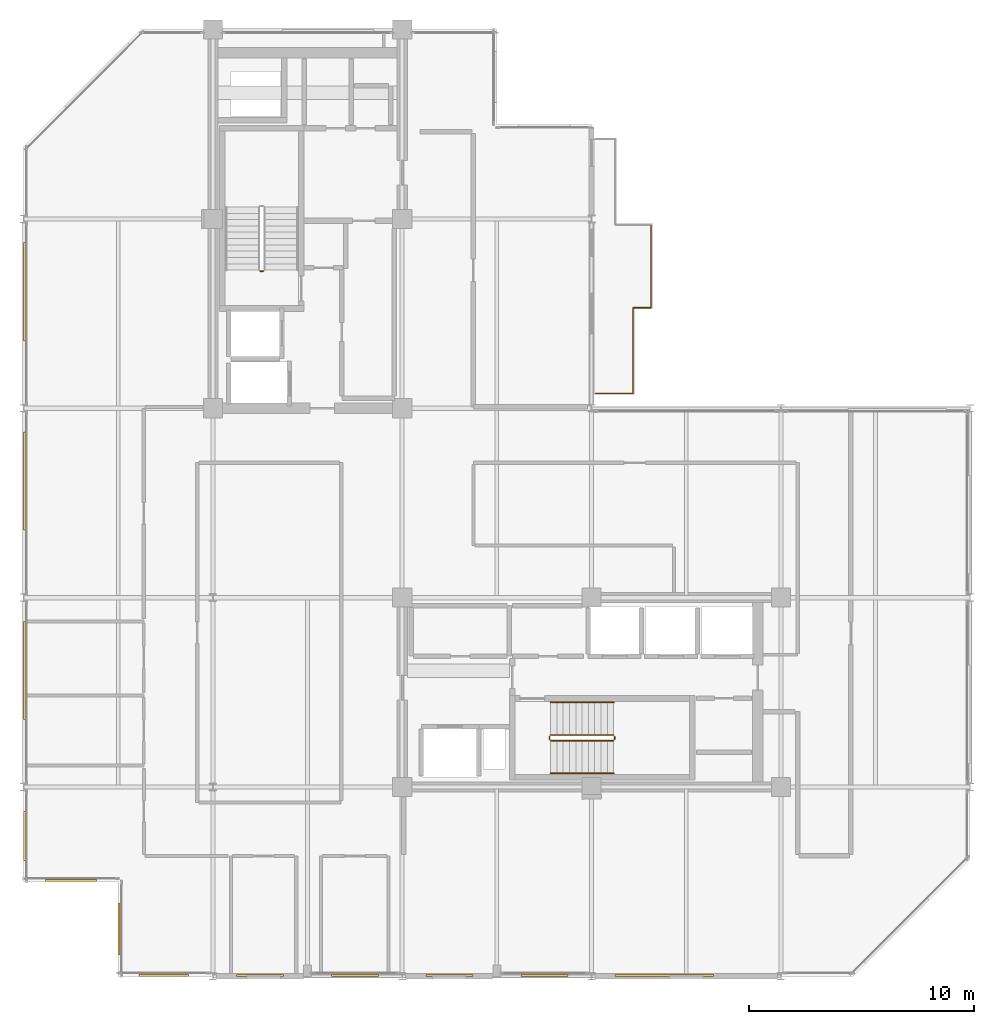
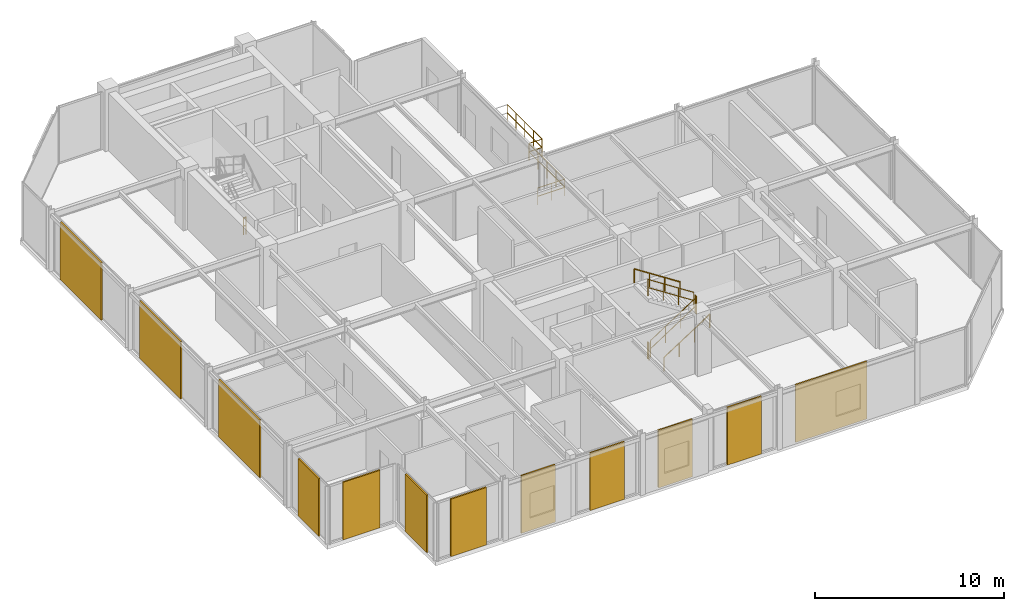
# One storey, part 24 of 26: 12 coverings, 11 railings.
"""IFC4 building model written with IfcOpenShell, lengths in metres."""

import ifcopenshell
import ifcopenshell.guid

model = None  # the IFC model being written
_history = None  # IfcOwnerHistory: only IFC2X3 demands one
_inside = {}  # id of a spatial element -> (the spatial element, [elements in it])
_under = {}  # id of a project, library or spatial element -> (it, [spatial elements below it])
_declared = {}  # id of a project -> (the project, [libraries it declares])
_typed = {}  # id of a type object -> (the type object, [elements of that type])
_made_of = {}  # id of a material, layer set ... -> (it, [elements and type objects made of it])


def new_model(schema):
    """Start an empty IFC model of exactly this schema.

    Asked for "IFC4X3", IfcOpenShell would pick the latest addendum, in which some entities
    have other attributes; the version numbers below select the first issue.
    IFC2X3 requires an IfcOwnerHistory on every rooted entity: one is made here for all.
    """
    global model, _history
    if schema == "IFC4X3":
        model = ifcopenshell.file(schema_version=(4, 3, 0, 0))
    else:
        model = ifcopenshell.file(schema=schema)
    _inside.clear()
    _under.clear()
    _declared.clear()
    _typed.clear()
    _made_of.clear()
    _history = None
    if model.schema == "IFC2X3":
        org = make("IfcOrganization", Name="unknown")
        user = make(
            "IfcPersonAndOrganization",
            ThePerson=make("IfcPerson", FamilyName="unknown"),
            TheOrganization=org,
        )
        app = make(
            "IfcApplication",
            ApplicationDeveloper=org,
            Version="unknown",
            ApplicationFullName="unknown",
            ApplicationIdentifier="unknown",
        )
        _history = make(
            "IfcOwnerHistory",
            OwningUser=user,
            OwningApplication=app,
            ChangeAction="ADDED",
            CreationDate=0,
        )
    return model


def make(cls, **values):
    """One entity of the class cls with the attributes given. An attribute that is None is left unset."""
    return model.create_entity(
        cls, **{name: value for name, value in values.items() if value is not None}
    )


def rooted(cls, **values):
    """An entity with a GlobalId (a new one), such as an element, a storey or a relation."""
    return make(cls, GlobalId=ifcopenshell.guid.new(), OwnerHistory=_history, **values)


def si_unit(unit_type, name, prefix=None):
    """IfcSIUnit, for example si_unit("LENGTHUNIT", "METRE", prefix="MILLI")."""
    return make("IfcSIUnit", UnitType=unit_type, Prefix=prefix, Name=name)


def assignment(units):
    """IfcUnitAssignment: the units of a project."""
    return None if units is None else make("IfcUnitAssignment", Units=units)


def point(xyz):
    """IfcCartesianPoint."""
    return None if xyz is None else make("IfcCartesianPoint", Coordinates=xyz)


def direction(xyz):
    """IfcDirection."""
    return None if xyz is None else make("IfcDirection", DirectionRatios=xyz)


def frame(location, z_axis=None, x_axis=None):
    """IfcAxis2Placement3D, a coordinate frame: its origin and axes. An axis left out is left unset."""
    return make(
        "IfcAxis2Placement3D",
        Location=point(location),
        Axis=direction(z_axis),
        RefDirection=direction(x_axis),
    )


def frame_2d(location, x_axis=None):
    """IfcAxis2Placement2D, a coordinate frame in the plane: its origin and x axis."""
    return make(
        "IfcAxis2Placement2D", Location=point(location), RefDirection=direction(x_axis)
    )


def origin():
    """The frame at (0, 0, 0) with its axes left unset."""
    return frame((0.0, 0.0, 0.0))


def origin_2d():
    """The frame at (0, 0) in the plane with its x axis left unset."""
    return frame_2d((0.0, 0.0))


def place(relative_to, where):
    """IfcLocalPlacement: puts the frame where relative to a parent placement (None: the world)."""
    return make(
        "IfcLocalPlacement", PlacementRelTo=relative_to, RelativePlacement=where
    )


def context(
    kind, dimensions, precision=None, world=None, true_north=None, identifier=None
):
    """IfcGeometricRepresentationContext, for example the 3D "Model" context."""
    return make(
        "IfcGeometricRepresentationContext",
        ContextIdentifier=identifier,
        ContextType=kind,
        CoordinateSpaceDimension=dimensions,
        Precision=precision,
        WorldCoordinateSystem=world,
        TrueNorth=true_north,
    )


def subcontext(parent, identifier, kind, view, scale=None):
    """IfcGeometricRepresentationSubContext, for example "Body" below "Model"."""
    return make(
        "IfcGeometricRepresentationSubContext",
        ContextIdentifier=identifier,
        ContextType=kind,
        ParentContext=parent,
        TargetScale=scale,
        TargetView=view,
    )


def project(units=None, contexts=None):
    """IfcProject with its units and contexts."""
    return rooted(
        "IfcProject",
        Name="project",
        RepresentationContexts=contexts,
        UnitsInContext=assignment(units),
    )


def spatial(cls, under=None, at=None, **own):
    """A site, building, storey or space (cls), placed at a placement, below another one or the project."""
    s = rooted(cls, ObjectPlacement=at, **own)
    if under is not None:
        _under.setdefault(under.id(), (under, []))[1].append(s)
    return s


def profile(cls, at=None, kind="AREA", **sizes):
    """A parametric profile (cls). Its sizes go by their IFC names, for example OverallWidth=200.0."""
    return make(cls, ProfileType=kind, Position=at, **sizes)


def rectangle(**sizes):
    """IfcRectangleProfileDef."""
    return profile("IfcRectangleProfileDef", **sizes)


def circle(**sizes):
    """IfcCircleProfileDef."""
    return profile("IfcCircleProfileDef", **sizes)


def extrude(swept, where, along, depth):
    """IfcExtrudedAreaSolid: the profile swept, set in the frame where, extruded along a direction by depth."""
    return make(
        "IfcExtrudedAreaSolid",
        SweptArea=swept,
        Position=where,
        ExtrudedDirection=direction(along),
        Depth=depth,
    )


def shape(context_of_items, identifier, shape_type, items):
    """IfcShapeRepresentation: the items that make up one representation, for example the "Body"."""
    return make(
        "IfcShapeRepresentation",
        ContextOfItems=context_of_items,
        RepresentationIdentifier=identifier,
        RepresentationType=shape_type,
        Items=items,
    )


def material(Name=None, Category=None):
    """IfcMaterial."""
    return make("IfcMaterial", Name=Name, Category=Category)


def layer(
    of_material, thickness, ventilated=None, Name=None, Category=None, Priority=None
):
    """IfcMaterialLayer: one layer of a wall or slab, of a material (None: an air gap)."""
    return make(
        "IfcMaterialLayer",
        Material=of_material,
        LayerThickness=thickness,
        IsVentilated=ventilated,
        Name=Name,
        Category=Category,
        Priority=Priority,
    )


def layer_set(layers, Name=None):
    """IfcMaterialLayerSet."""
    return make("IfcMaterialLayerSet", MaterialLayers=layers, LayerSetName=Name)


def made_of(thing, what):
    """Note that an element or type object is made of a material, layer set ...; save() writes the relation."""
    if what is not None:
        _made_of.setdefault(what.id(), (what, []))[1].append(thing)
    return thing


def type_object(cls, material=None, **own):
    """A type object (cls), such as IfcWallType, which elements share."""
    return made_of(rooted(cls, **own), material)


def element(
    cls,
    number,
    at=None,
    inside=None,
    cuts=None,
    type_object=None,
    material=None,
    context=None,
    identifier="Body",
    shape_type=None,
    held_by="IfcProductDefinitionShape",
    body=None,
    shapes=None,
    **own,
):
    """One element of the class cls, such as IfcWall. Its Tag is "e" and its number.

    at: its placement. inside: the storey or other place that contains it. cuts: it is an
    opening in that element (IfcRelVoidsElement). A single representation is given by context,
    identifier, shape_type and body (its items); several are given by shapes. held_by: the class
    of the entity that holds the representations. save() writes the other relations.
    """
    e = rooted(cls, Tag="e%d" % number, ObjectPlacement=at, **own)
    if body is not None:
        shapes = [shape(context, identifier, shape_type, body)]
    if shapes is not None:
        e.Representation = make(held_by, Representations=shapes)
    if inside is not None:
        _inside.setdefault(inside.id(), (inside, []))[1].append(e)
    if cuts is not None:
        rooted(
            "IfcRelVoidsElement", RelatingBuildingElement=cuts, RelatedOpeningElement=e
        )
    if type_object is not None:
        _typed.setdefault(type_object.id(), (type_object, []))[1].append(e)
    return made_of(e, material)


def aggregate(whole, parts):
    """IfcRelAggregates: a whole, such as a stair, and the parts it consists of."""
    return rooted("IfcRelAggregates", RelatingObject=whole, RelatedObjects=parts)


def save(model, path):
    """Write the relations noted so far, then the file.

    IfcRelAggregates (storeys below a building ...), IfcRelContainedInSpatialStructure (elements
    in a storey), IfcRelDefinesByType, IfcRelAssociatesMaterial and IfcRelDeclares: one each for
    every whole, place, type object, material and project.
    """
    for whole, parts in _under.values():
        aggregate(whole, parts)
    for where, things in _inside.values():
        rooted(
            "IfcRelContainedInSpatialStructure",
            RelatedElements=things,
            RelatingStructure=where,
        )
    for kind, things in _typed.values():
        rooted("IfcRelDefinesByType", RelatedObjects=things, RelatingType=kind)
    for what, things in _made_of.values():
        rooted("IfcRelAssociatesMaterial", RelatedObjects=things, RelatingMaterial=what)
    for by, libraries in _declared.values():
        rooted("IfcRelDeclares", RelatingContext=by, RelatedDefinitions=libraries)
    model.write(path)


model = new_model("IFC4")

# Units and contexts
model_context = context("Model", 3, precision=1e-05, world=origin(), true_north=direction((0.0, 1.0)))
body_context = subcontext(model_context, "Body", "Model", "MODEL_VIEW")
ifc_project = project(units=[si_unit("LENGTHUNIT", "METRE"), si_unit("AREAUNIT", "SQUARE_METRE"), si_unit("VOLUMEUNIT", "CUBIC_METRE"), si_unit("PLANEANGLEUNIT", "RADIAN"), si_unit("MASSUNIT", "GRAM", prefix="KILO")], contexts=[model_context])

# Site, building, storey
site_placement = place(None, origin())
site = spatial("IfcSite", under=ifc_project, at=site_placement, CompositionType="ELEMENT")
building_placement = place(site_placement, origin())
building = spatial("IfcBuilding", under=site, at=building_placement, Name="Nerrivon Quay Data Exchange", CompositionType="ELEMENT")
storey_placement = place(building_placement, frame((0.0, 0.0, 274.199951171875)))
storey = spatial("IfcBuildingStorey", under=building, at=storey_placement, Name="L65", CompositionType="ELEMENT", Elevation=274.199951171875)

# Coverings
ifc_material_1 = material(Name="Architectural terracotta ceramic", Category="masonry")
ifc_layer = layer(ifc_material_1, 0.090087890625)
ifc_layer_set = layer_set([ifc_layer], Name="Architectural terracotta ceramic")
covering_type = type_object("IfcCoveringType", Name="COV-SCR-TERR", PredefinedType="CLADDING", material=ifc_layer_set)
covering_1_placement = place(storey_placement, frame((28.42919921875, 0.044921875, 0.0), z_axis=(0.0, 0.0, 1.0), x_axis=(-1.0, 0.0, 0.0)))
element("IfcCovering", 1, at=covering_1_placement, inside=storey, type_object=covering_type, Name="L65 Perforated Terracotta SOLAR SCREEN Cassette", PredefinedType="CLADDING", context=body_context, shape_type="SweptSolid", body=[
    extrude(rectangle(XDim=4.367919921875, YDim=0.090087890625, at=origin_2d()), origin(), (0.0, 0.0, 1.0), 3.72509765625),
])
for number, where, z_axis, x_axis, name in (
    (2, (23.109619140625, 0.044921875, 0.0), (0.0, 0.0, 1.0), (-1.0, 0.0, 0.0), "L65 Perforated Terracotta SOLAR SCREEN Cassette"),
    (3, (18.890380859375, 0.044921875, 0.0), (0.0, 0.0, 1.0), (-1.0, 0.0, 0.0), "L65 Perforated Terracotta SOLAR SCREEN Cassette"),
    (4, (14.709716796875, 0.044921875, 0.0), (0.0, 0.0, 1.0), (-1.0, 0.0, 0.0), "L65 Perforated Terracotta SOLAR SCREEN Cassette"),
    (5, (10.490234375, 0.044921875, 0.0), (0.0, 0.0, 1.0), (-1.0, 0.0, 0.0), "L65 Perforated Terracotta SOLAR SCREEN Cassette"),
):
    element("IfcCovering", number, at=place(storey_placement, frame(where, z_axis=z_axis, x_axis=x_axis)), inside=storey, type_object=covering_type, Name=name, PredefinedType="CLADDING", context=body_context, shape_type="SweptSolid", body=[
        extrude(rectangle(XDim=2.090087890625, YDim=0.090087890625, at=origin_2d()), origin(), (0.0, 0.0, 1.0), 3.72509765625),
    ])
covering_2_placement = place(storey_placement, frame((6.222412109375, 0.044921875, 0.0), z_axis=(0.0, 0.0, 1.0), x_axis=(-1.0, 0.0, 0.0)))
element("IfcCovering", 6, at=covering_2_placement, inside=storey, type_object=covering_type, Name="L65 Perforated Terracotta SOLAR SCREEN Cassette", PredefinedType="CLADDING", context=body_context, shape_type="SweptSolid", body=[
    extrude(rectangle(XDim=2.18408203125, YDim=0.090087890625, at=origin_2d()), origin(), (0.0, 0.0, 1.0), 3.72509765625),
])
for number, where, z_axis, x_axis, name in (
    (7, (4.2451171875, 2.10009765625, 0.0), (0.0, 0.0, 1.0), (0.0, 1.0, 0.0), "L65 Perforated Terracotta SOLAR SCREEN Cassette"),
    (8, (2.10009765625, 4.2451171875, 0.0), (0.0, 0.0, 1.0), (-1.0, 0.0, 0.0), "L65 Perforated Terracotta SOLAR SCREEN Cassette"),
):
    element("IfcCovering", number, at=place(storey_placement, frame(where, z_axis=z_axis, x_axis=x_axis)), inside=storey, type_object=covering_type, Name=name, PredefinedType="CLADDING", context=body_context, shape_type="SweptSolid", body=[
        extrude(rectangle(XDim=2.26806640625, YDim=0.090087890625, at=origin_2d()), origin(), (0.0, 0.0, 1.0), 3.72509765625),
    ])
covering_3_placement = place(storey_placement, frame((0.044921875, 6.21826171875, 0.0), z_axis=(0.0, 0.0, 1.0), x_axis=(0.0, 1.0, 0.0)))
element("IfcCovering", 9, at=covering_3_placement, inside=storey, type_object=covering_type, Name="L65 Perforated Terracotta SOLAR SCREEN Cassette", PredefinedType="CLADDING", context=body_context, shape_type="SweptSolid", body=[
    extrude(rectangle(XDim=2.179931640625, YDim=0.090087890625, at=origin_2d()), origin(), (0.0, 0.0, 1.0), 3.72509765625),
])
for number, where, z_axis, x_axis, name in (
    (10, (0.044921875, 13.56884765625, 0.0), (0.0, 0.0, 1.0), (0.0, 1.0, 0.0), "L65 Perforated Terracotta SOLAR SCREEN Cassette"),
    (11, (0.044921875, 21.96875, 0.0), (0.0, 0.0, 1.0), (0.0, 1.0, 0.0), "L65 Perforated Terracotta SOLAR SCREEN Cassette"),
    (12, (0.044921875, 30.368896484375, 0.0), (0.0, 0.0, 1.0), (0.0, 1.0, 0.0), "L65 Perforated Terracotta SOLAR SCREEN Cassette"),
):
    element("IfcCovering", number, at=place(storey_placement, frame(where, z_axis=z_axis, x_axis=x_axis)), inside=storey, type_object=covering_type, Name=name, PredefinedType="CLADDING", context=body_context, shape_type="SweptSolid", body=[
        extrude(rectangle(XDim=4.35888671875, YDim=0.090087890625, at=origin_2d()), origin(), (0.0, 0.0, 1.0), 3.72509765625),
    ])

# Railings
ifc_material_2 = material(Name="Steel Grade C350L0 (350 MPa)", Category="steel")
railing_type_1 = type_object("IfcRailingType", Name="RAIL-GUARD-GR2", PredefinedType="BALUSTRADE", material=ifc_material_2)
railing_1_placement = place(storey_placement, frame((27.0400390625, 29.659912109375, 0.0)))
element("IfcRailing", 13, at=railing_1_placement, inside=storey, type_object=railing_type_1, Name="L65 Verandah Balcony Guard 1.1 1", PredefinedType="BALUSTRADE", context=body_context, shape_type="SweptSolid", body=[
    extrude(circle(Radius=0.02392578125, at=origin_2d()), frame((0.0, 0.0, 1.09619140625), z_axis=(0.0, -1.0, 0.0), x_axis=(1.0, 0.0, 0.0)), (0.0, 0.0, 1.0), 3.7998046875),
    extrude(circle(Radius=0.02392578125, at=origin_2d()), frame((0.0, 0.0, 0.56005859375), z_axis=(0.0, -1.0, 0.0), x_axis=(1.0, 0.0, 0.0)), (0.0, 0.0, 1.0), 3.7998046875),
    extrude(circle(Radius=0.02099609375, at=origin_2d()), origin(), (0.0, 0.0, 1.0), 1.072021484375),
    extrude(circle(Radius=0.02099609375, at=origin_2d()), frame((0.0, -0.949951171875, 0.0)), (0.0, 0.0, 1.0), 1.072021484375),
    extrude(circle(Radius=0.02099609375, at=origin_2d()), frame((0.0, -1.89990234375, 0.0)), (0.0, 0.0, 1.0), 1.072021484375),
    extrude(circle(Radius=0.02099609375, at=origin_2d()), frame((0.0, -2.849853515625, 0.0)), (0.0, 0.0, 1.0), 1.072021484375),
    extrude(circle(Radius=0.02099609375, at=origin_2d()), frame((0.0, -3.7998046875, 0.0)), (0.0, 0.0, 1.0), 1.072021484375),
])
railing_2_placement = place(storey_placement, frame((27.0400390625, 25.860107421875, 0.0)))
element("IfcRailing", 14, at=railing_2_placement, inside=storey, type_object=railing_type_1, Name="L65 Verandah Balcony Guard 1.2 1", PredefinedType="BALUSTRADE", context=body_context, shape_type="SweptSolid", body=[
    extrude(circle(Radius=0.02392578125, at=origin_2d()), frame((0.0, 0.0, 1.09619140625), z_axis=(-1.0, 0.0, 0.0), x_axis=(0.0, -1.0, 0.0)), (0.0, 0.0, 1.0), 1.66015625),
    extrude(circle(Radius=0.02392578125, at=origin_2d()), frame((0.0, 0.0, 0.56005859375), z_axis=(-1.0, 0.0, 0.0), x_axis=(0.0, -1.0, 0.0)), (0.0, 0.0, 1.0), 1.66015625),
    extrude(circle(Radius=0.02099609375, at=origin_2d()), origin(), (0.0, 0.0, 1.0), 1.072021484375),
    extrude(circle(Radius=0.02099609375, at=origin_2d()), frame((-0.830078125, 0.0, 0.0)), (0.0, 0.0, 1.0), 1.072021484375),
    extrude(circle(Radius=0.02099609375, at=origin_2d()), frame((-1.66015625, 0.0, 0.0)), (0.0, 0.0, 1.0), 1.072021484375),
])
railing_3_placement = place(storey_placement, frame((27.840087890625, 33.340087890625, 0.0)))
element("IfcRailing", 15, at=railing_3_placement, inside=storey, type_object=railing_type_1, Name="L65 Verandah Balcony Guard 1.6 1", PredefinedType="BALUSTRADE", context=body_context, shape_type="SweptSolid", body=[
    extrude(circle(Radius=0.02392578125, at=origin_2d()), frame((0.0, 0.0, 1.09619140625), z_axis=(0.0, -1.0, 0.0), x_axis=(1.0, 0.0, 0.0)), (0.0, 0.0, 1.0), 3.68017578125),
    extrude(circle(Radius=0.02392578125, at=origin_2d()), frame((0.0, 0.0, 0.56005859375), z_axis=(0.0, -1.0, 0.0), x_axis=(1.0, 0.0, 0.0)), (0.0, 0.0, 1.0), 3.68017578125),
    extrude(circle(Radius=0.02099609375, at=origin_2d()), origin(), (0.0, 0.0, 1.0), 1.072021484375),
    extrude(circle(Radius=0.02099609375, at=origin_2d()), frame((0.0, -0.919921875, 0.0)), (0.0, 0.0, 1.0), 1.072021484375),
    extrude(circle(Radius=0.02099609375, at=origin_2d()), frame((0.0, -1.840087890625, 0.0)), (0.0, 0.0, 1.0), 1.072021484375),
    extrude(circle(Radius=0.02099609375, at=origin_2d()), frame((0.0, -2.76025390625, 0.0)), (0.0, 0.0, 1.0), 1.072021484375),
    extrude(circle(Radius=0.02099609375, at=origin_2d()), frame((0.0, -3.68017578125, 0.0)), (0.0, 0.0, 1.0), 1.072021484375),
])
railing_4_placement = place(storey_placement, frame((27.840087890625, 29.659912109375, 0.0)))
element("IfcRailing", 16, at=railing_4_placement, inside=storey, type_object=railing_type_1, Name="L65 Verandah Balcony Guard 1.7 1", PredefinedType="BALUSTRADE", context=body_context, shape_type="SweptSolid", body=[
    extrude(circle(Radius=0.02392578125, at=origin_2d()), frame((0.0, 0.0, 1.09619140625), z_axis=(-1.0, 0.0, 0.0), x_axis=(0.0, -1.0, 0.0)), (0.0, 0.0, 1.0), 0.800048828125),
    extrude(circle(Radius=0.02392578125, at=origin_2d()), frame((0.0, 0.0, 0.56005859375), z_axis=(-1.0, 0.0, 0.0), x_axis=(0.0, -1.0, 0.0)), (0.0, 0.0, 1.0), 0.800048828125),
    extrude(circle(Radius=0.02099609375, at=origin_2d()), origin(), (0.0, 0.0, 1.0), 1.072021484375),
    extrude(circle(Radius=0.02099609375, at=origin_2d()), frame((-0.800048828125, 0.0, 0.0)), (0.0, 0.0, 1.0), 1.072021484375),
])
railing_type_2 = type_object("IfcRailingType", Name="RAIL-HAND-HR1", PredefinedType="HANDRAIL", material=ifc_material_2)
railing_5_placement = place(storey_placement, frame((23.3798828125, 9.0, 0.181884765625)))
element("IfcRailing", 17, at=railing_5_placement, inside=storey, type_object=railing_type_2, Name="L65 ST02 stair handrail 1", PredefinedType="HANDRAIL", context=body_context, shape_type="SweptSolid", body=[
    extrude(circle(Radius=0.02392578125, at=origin_2d()), frame((0.0, 0.0, 0.8759765625), z_axis=(0.838705829183, 0.0, 0.544584733623), x_axis=(0.0, 1.0, 0.0)), (0.0, 0.0, 1.0), 3.338623046875),
    extrude(circle(Radius=0.02099609375, at=origin_2d()), origin(), (0.0, 0.0, 1.0), 0.851806640625),
    extrude(circle(Radius=0.02099609375, at=origin_2d()), frame((0.933349609375, 0.0, 0.60595703125)), (0.0, 0.0, 1.0), 0.851806640625),
    extrude(circle(Radius=0.02099609375, at=origin_2d()), frame((1.86669921875, 0.0, 1.212158203125)), (0.0, 0.0, 1.0), 0.851806640625),
    extrude(circle(Radius=0.02099609375, at=origin_2d()), frame((2.800048828125, 0.0, 1.818115234375)), (0.0, 0.0, 1.0), 0.851806640625),
])
railing_6_placement = place(storey_placement, frame((26.179931640625, 12.14990234375, 2.181884765625)))
element("IfcRailing", 18, at=railing_6_placement, inside=storey, type_object=railing_type_2, Name="L65 ST02 stair handrail 2", PredefinedType="HANDRAIL", context=body_context, shape_type="SweptSolid", body=[
    extrude(circle(Radius=0.02392578125, at=origin_2d()), frame((0.0, 0.0, 0.8759765625), z_axis=(-0.838705829183, 0.0, 0.544584733623), x_axis=(0.0, -1.0, 0.0)), (0.0, 0.0, 1.0), 3.338623046875),
    extrude(circle(Radius=0.02099609375, at=origin_2d()), origin(), (0.0, 0.0, 1.0), 0.851806640625),
    extrude(circle(Radius=0.02099609375, at=origin_2d()), frame((-0.933349609375, 0.0, 0.60595703125)), (0.0, 0.0, 1.0), 0.851806640625),
    extrude(circle(Radius=0.02099609375, at=origin_2d()), frame((-1.86669921875, 0.0, 1.212158203125)), (0.0, 0.0, 1.0), 0.851806640625),
    extrude(circle(Radius=0.02099609375, at=origin_2d()), frame((-2.800048828125, 0.0, 1.818115234375)), (0.0, 0.0, 1.0), 0.851806640625),
])
railing_type_3 = type_object("IfcRailingType", Name="RAIL-STAIR-GR1", PredefinedType="BALUSTRADE", material=ifc_material_2)
railing_7_placement = place(storey_placement, frame((10.64990234375, 31.280029296875, 0.0)))
element("IfcRailing", 19, at=railing_7_placement, inside=storey, type_object=railing_type_3, Name="L65 ST01 stair guard 4", PredefinedType="BALUSTRADE", context=body_context, shape_type="SweptSolid", body=[
    extrude(circle(Radius=0.02392578125, at=origin_2d()), frame((0.0, 0.0, 1.076171875), z_axis=(-1.0, 0.0, 0.0), x_axis=(0.0, -1.0, 0.0)), (0.0, 0.0, 1.0), 0.14990234375),
    extrude(circle(Radius=0.02392578125, at=origin_2d()), frame((0.0, 0.0, 0.550048828125), z_axis=(-1.0, 0.0, 0.0), x_axis=(0.0, -1.0, 0.0)), (0.0, 0.0, 1.0), 0.14990234375),
    extrude(circle(Radius=0.02099609375, at=origin_2d()), origin(), (0.0, 0.0, 1.0), 1.052001953125),
    extrude(circle(Radius=0.02099609375, at=origin_2d()), frame((-0.14990234375, 0.0, 0.0)), (0.0, 0.0, 1.0), 1.052001953125),
])
railing_8_placement = place(storey_placement, frame((23.3798828125, 10.449951171875, 0.181884765625)))
element("IfcRailing", 20, at=railing_8_placement, inside=storey, type_object=railing_type_3, Name="L65 ST02 stair guard 1", PredefinedType="BALUSTRADE", context=body_context, shape_type="SweptSolid", body=[
    extrude(circle(Radius=0.02392578125, at=origin_2d()), frame((0.0, 0.0, 1.076171875), z_axis=(0.838705829183, 0.0, 0.544584733623), x_axis=(0.0, 1.0, 0.0)), (0.0, 0.0, 1.0), 3.338623046875),
    extrude(circle(Radius=0.02392578125, at=origin_2d()), frame((0.0, 0.0, 0.550048828125), z_axis=(0.838705829183, 0.0, 0.544584733623), x_axis=(0.0, 1.0, 0.0)), (0.0, 0.0, 1.0), 3.338623046875),
    extrude(circle(Radius=0.02099609375, at=origin_2d()), origin(), (0.0, 0.0, 1.0), 1.052001953125),
    extrude(circle(Radius=0.02099609375, at=origin_2d()), frame((0.933349609375, 0.0, 0.60595703125)), (0.0, 0.0, 1.0), 1.052001953125),
    extrude(circle(Radius=0.02099609375, at=origin_2d()), frame((1.86669921875, 0.0, 1.212158203125)), (0.0, 0.0, 1.0), 1.052001953125),
    extrude(circle(Radius=0.02099609375, at=origin_2d()), frame((2.800048828125, 0.0, 1.818115234375)), (0.0, 0.0, 1.0), 1.052001953125),
])
railing_9_placement = place(storey_placement, frame((26.22998046875, 10.5, 2.0)))
element("IfcRailing", 21, at=railing_9_placement, inside=storey, type_object=railing_type_3, Name="L65 ST02 stair guard 2", PredefinedType="BALUSTRADE", context=body_context, shape_type="SweptSolid", body=[
    extrude(circle(Radius=0.02392578125, at=origin_2d()), frame((0.0, 0.0, 1.076171875), z_axis=(0.0, 1.0, 0.0), x_axis=(-1.0, 0.0, 0.0)), (0.0, 0.0, 1.0), 0.14990234375),
    extrude(circle(Radius=0.02392578125, at=origin_2d()), frame((0.0, 0.0, 0.550048828125), z_axis=(0.0, 1.0, 0.0), x_axis=(-1.0, 0.0, 0.0)), (0.0, 0.0, 1.0), 0.14990234375),
    extrude(circle(Radius=0.02099609375, at=origin_2d()), origin(), (0.0, 0.0, 1.0), 1.052001953125),
    extrude(circle(Radius=0.02099609375, at=origin_2d()), frame((0.0, 0.14990234375, 0.0)), (0.0, 0.0, 1.0), 1.052001953125),
])
railing_10_placement = place(storey_placement, frame((26.179931640625, 10.699951171875, 2.181884765625)))
element("IfcRailing", 22, at=railing_10_placement, inside=storey, type_object=railing_type_3, Name="L65 ST02 stair guard 3", PredefinedType="BALUSTRADE", context=body_context, shape_type="SweptSolid", body=[
    extrude(circle(Radius=0.02392578125, at=origin_2d()), frame((0.0, 0.0, 1.076171875), z_axis=(-0.838705829183, 0.0, 0.544584733623), x_axis=(0.0, -1.0, 0.0)), (0.0, 0.0, 1.0), 3.338623046875),
    extrude(circle(Radius=0.02392578125, at=origin_2d()), frame((0.0, 0.0, 0.550048828125), z_axis=(-0.838705829183, 0.0, 0.544584733623), x_axis=(0.0, -1.0, 0.0)), (0.0, 0.0, 1.0), 3.338623046875),
    extrude(circle(Radius=0.02099609375, at=origin_2d()), origin(), (0.0, 0.0, 1.0), 1.052001953125),
    extrude(circle(Radius=0.02099609375, at=origin_2d()), frame((-0.933349609375, 0.0, 0.60595703125)), (0.0, 0.0, 1.0), 1.052001953125),
    extrude(circle(Radius=0.02099609375, at=origin_2d()), frame((-1.86669921875, 0.0, 1.212158203125)), (0.0, 0.0, 1.0), 1.052001953125),
    extrude(circle(Radius=0.02099609375, at=origin_2d()), frame((-2.800048828125, 0.0, 1.818115234375)), (0.0, 0.0, 1.0), 1.052001953125),
])
railing_11_placement = place(storey_placement, frame((23.330078125, 10.5, 0.0)))
element("IfcRailing", 23, at=railing_11_placement, inside=storey, type_object=railing_type_3, Name="L65 ST02 stair guard 4", PredefinedType="BALUSTRADE", context=body_context, shape_type="SweptSolid", body=[
    extrude(circle(Radius=0.02392578125, at=origin_2d()), frame((0.0, 0.0, 1.076171875), z_axis=(0.0, 1.0, 0.0), x_axis=(-1.0, 0.0, 0.0)), (0.0, 0.0, 1.0), 0.14990234375),
    extrude(circle(Radius=0.02392578125, at=origin_2d()), frame((0.0, 0.0, 0.550048828125), z_axis=(0.0, 1.0, 0.0), x_axis=(-1.0, 0.0, 0.0)), (0.0, 0.0, 1.0), 0.14990234375),
    extrude(circle(Radius=0.02099609375, at=origin_2d()), origin(), (0.0, 0.0, 1.0), 1.052001953125),
    extrude(circle(Radius=0.02099609375, at=origin_2d()), frame((0.0, 0.14990234375, 0.0)), (0.0, 0.0, 1.0), 1.052001953125),
])

save(model, "model.ifc")
